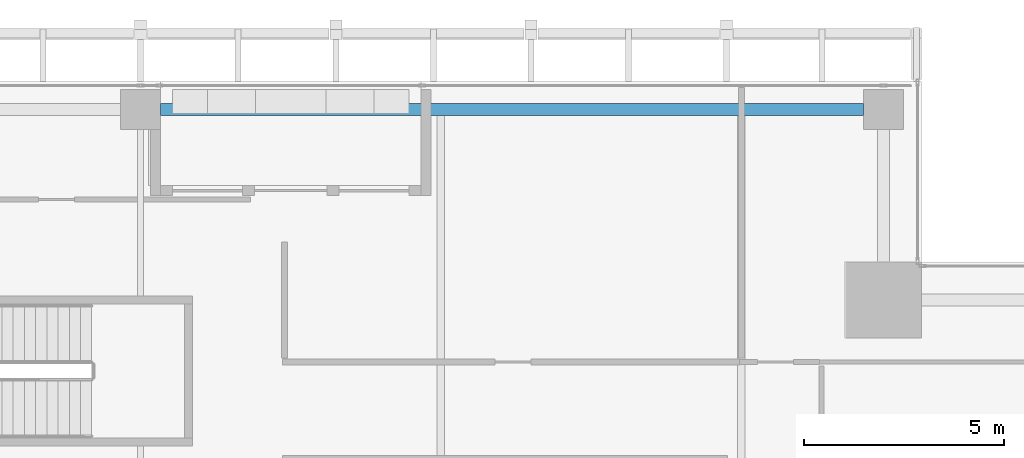
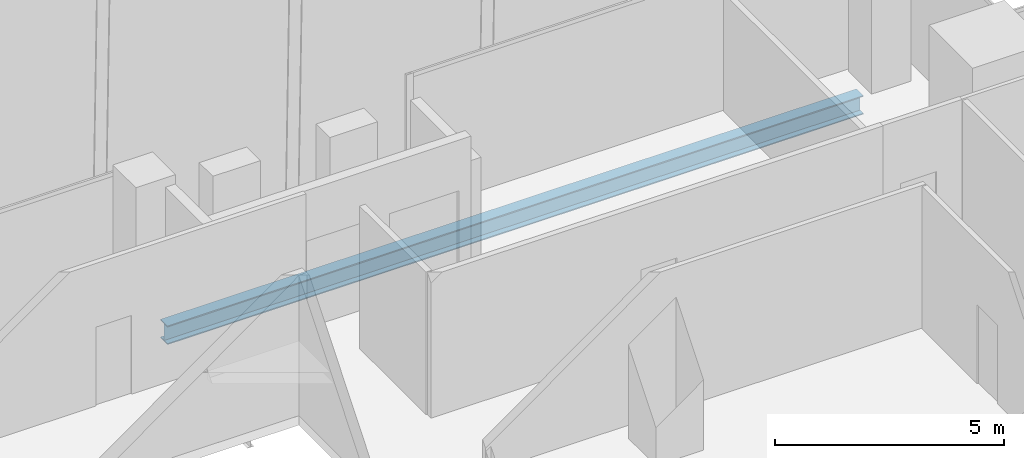
# One storey, part 20 of 35: 1 beam.
"""IFC4 building model written with IfcOpenShell, lengths in metres."""

from ifc_helpers import new_model, si_unit, direction, frame, origin, origin_2d, place, context, subcontext, project, spatial, i_section, extrude, source, transform, mapped, material, material_profile, profile_set, type_object, element, save


model = new_model("IFC4")

# Units and contexts
model_context = context("Model", 3, precision=1e-05, world=origin(), true_north=direction((0.0, 1.0)))
body_context = subcontext(model_context, "Body", "Model", "MODEL_VIEW")
ifc_project = project(units=[si_unit("LENGTHUNIT", "METRE"), si_unit("AREAUNIT", "SQUARE_METRE"), si_unit("VOLUMEUNIT", "CUBIC_METRE"), si_unit("PLANEANGLEUNIT", "RADIAN"), si_unit("MASSUNIT", "GRAM", prefix="KILO")], contexts=[model_context])

# Site, building, storey
site_placement = place(None, origin())
site = spatial("IfcSite", under=ifc_project, at=site_placement, CompositionType="ELEMENT")
building_placement = place(site_placement, origin())
building = spatial("IfcBuilding", under=site, at=building_placement, Name="Khomas Fold Tower", CompositionType="ELEMENT")
storey_placement = place(building_placement, frame((0.0, 0.0, 212.699951171875)))
storey = spatial("IfcBuildingStorey", under=building, at=storey_placement, Name="L47", CompositionType="ELEMENT", Elevation=212.699951171875)

# Beam
ifc_material = material(Name="Steel S355", Category="steel")
ifc_material_profile = material_profile(ifc_material, i_section(OverallWidth=0.300048828125, OverallDepth=0.5, WebThickness=0.014404296875, FlangeThickness=0.028076171875, at=origin_2d()), Name="HE 500 B")
ifc_profile_set = profile_set([ifc_material_profile], Name="Steel S355")
beam_type = type_object("IfcBeamType", Name="HE 500 B spandrel SB3", PredefinedType="SPANDREL", material=ifc_profile_set)
shared_shape = source(origin(), body_context, "Body", "SweptSolid", [
    extrude(i_section(OverallWidth=0.300048828125, OverallDepth=0.5, WebThickness=0.014404296875, FlangeThickness=0.028076171875, at=origin_2d()), origin(), (0.0, 0.0, 1.0), 17.550048828125),
])
beam_placement = place(storey_placement, frame((27.5, 50.300048828125, -0.5), z_axis=(1.0, 0.0, 0.0), x_axis=(0.0, 1.0, 0.0)))
element("IfcBeam", 1, at=beam_placement, inside=storey, type_object=beam_type, Name="SB3", PredefinedType="SPANDREL", context=body_context, shape_type="MappedRepresentation", body=[
    mapped(shared_shape, transform((0.0, 0.0, 0.0))),
])

save(model, "model.ifc")
